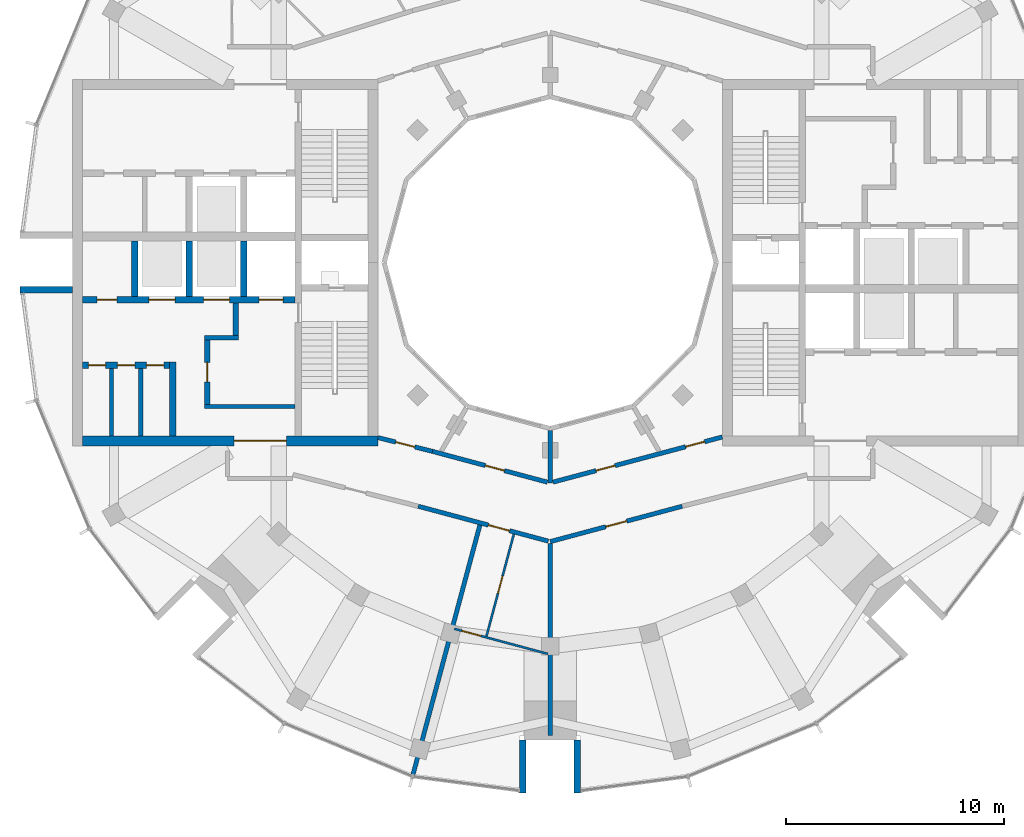
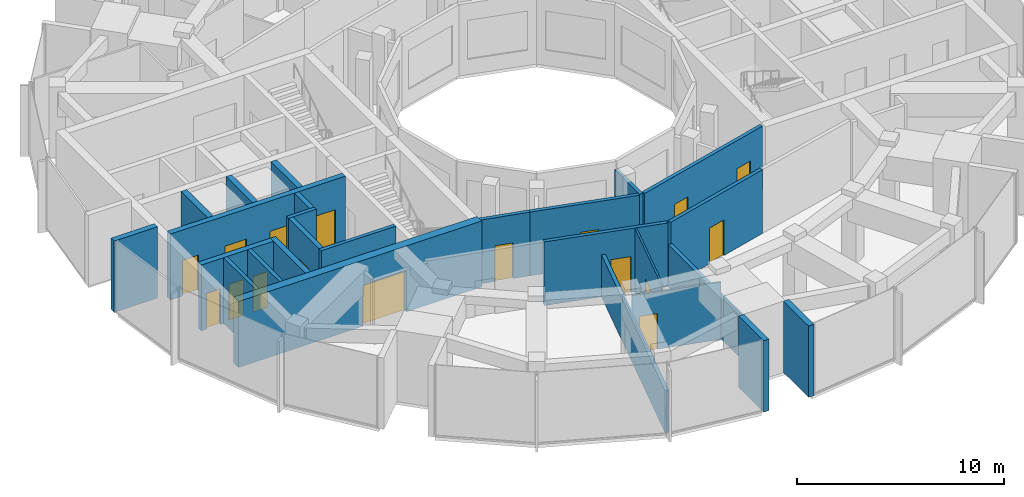
# One storey, part 8 of 14: 26 walls, 17 doors, 17 openings.
"""IFC4 building model written with IfcOpenShell, lengths in metres."""

from ifc_helpers import new_model, si_unit, direction, frame, frame_2d, origin, place, context, subcontext, project, spatial, rectangle, extrude, material, layer, layer_set, type_object, element, fill, save


model = new_model("IFC4")

# Units and contexts
model_context = context("Model", 3, precision=1e-05, world=origin(), true_north=direction((0.0, 1.0)))
body_context = subcontext(model_context, "Body", "Model", "MODEL_VIEW")
ifc_project = project(units=[si_unit("LENGTHUNIT", "METRE"), si_unit("AREAUNIT", "SQUARE_METRE"), si_unit("VOLUMEUNIT", "CUBIC_METRE"), si_unit("PLANEANGLEUNIT", "RADIAN"), si_unit("MASSUNIT", "GRAM", prefix="KILO")], contexts=[model_context])

# Site, building, storey
site_placement = place(None, origin())
site = spatial("IfcSite", under=ifc_project, at=site_placement, CompositionType="ELEMENT")
building_placement = place(site_placement, origin())
building = spatial("IfcBuilding", under=site, at=building_placement, Name="Torre Brocal", CompositionType="ELEMENT")
storey_placement = place(building_placement, frame((0.0, 0.0, 288.300048828125)))
storey = spatial("IfcBuildingStorey", under=building, at=storey_placement, Name="L66", CompositionType="ELEMENT", Elevation=288.300048828125)

# Walls
ifc_material_1 = material(Name="Masonry block", Category="masonry")
ifc_layer_1 = layer(ifc_material_1, 0.199951171875)
ifc_layer_set_1 = layer_set([ifc_layer_1], Name="Masonry block")
wall_type_1 = type_object("IfcWallType", Name="CORE PARTITION 200", PredefinedType="PARTITIONING", material=ifc_layer_set_1)
for number, where, z_axis, x_axis, name in (
    (1, (61.216796875, 70.14990234375, 0.0), (0.0, 0.0, 1.0), (0.0, -1.0, 0.0), "Wall CP200"),
    (2, (59.88330078125, 70.14990234375, 0.0), (0.0, 0.0, 1.0), (0.0, -1.0, 0.0), "Wall CP200"),
):
    element("IfcWall", number, at=place(storey_placement, frame(where, z_axis=z_axis, x_axis=x_axis)), inside=storey, type_object=wall_type_1, Name=name, PredefinedType="PARTITIONING", context=body_context, shape_type="SweptSolid", body=[
        extrude(rectangle(XDim=3.099853515625, YDim=0.199951171875, at=frame_2d((1.5498046875, 0.0))), origin(), (0.0, 0.0, 1.0), 3.8798828125),
    ])
ifc_material_2 = material(Name="Concrete C50", Category="concrete")
ifc_layer_2 = layer(ifc_material_2, 0.199951171875)
ifc_layer_set_2 = layer_set([ifc_layer_2], Name="Concrete C50")
wall_type_2 = type_object("IfcWallType", Name="CORE WALL 200 C50", PredefinedType="SHEAR", material=ifc_layer_set_2)
wall_1_placement = place(storey_placement, frame((68.300048828125, 68.39990234375, 0.0), z_axis=(0.0, 0.0, 1.0), x_axis=(-1.0, 0.0, 0.0)))
element("IfcWall", 3, at=wall_1_placement, inside=storey, type_object=wall_type_2, Name="Wall CW200-50", PredefinedType="SHEAR", context=body_context, shape_type="SweptSolid", body=[
    extrude(rectangle(XDim=4.150146484375, YDim=0.199951171875, at=frame_2d((2.0751953125, 0.0))), origin(), (0.0, 0.0, 1.0), 3.8798828125),
])
wall_2_placement = place(storey_placement, frame((65.699951171875, 71.550048828125, 0.0), z_axis=(0.0, 0.0, 1.0), x_axis=(-1.0, 0.0, 0.0)))
element("IfcWall", 4, at=wall_2_placement, inside=storey, type_object=wall_type_2, Name="Wall CW200-50", PredefinedType="SHEAR", context=body_context, shape_type="SweptSolid", body=[
    extrude(rectangle(XDim=1.550048828125, YDim=0.199951171875, at=frame_2d((0.77490234375, 0.0))), origin(), (0.0, 0.0, 1.0), 3.8798828125),
])

# Wall, opening, door
ifc_material_3 = material(Name="Concrete C50", Category="concrete")
ifc_layer_3 = layer(ifc_material_3, 0.25)
ifc_layer_set_3 = layer_set([ifc_layer_3], Name="Concrete C50")
wall_type_3 = type_object("IfcWallType", Name="CORE WALL 250 C50", PredefinedType="SHEAR", material=ifc_layer_set_3)
wall_3_placement = place(storey_placement, frame((64.27490234375, 71.449951171875, 0.0), z_axis=(0.0, 0.0, 1.0), x_axis=(0.0, -1.0, 0.0)))
wall_3 = element("IfcWall", 5, at=wall_3_placement, inside=storey, type_object=wall_type_3, Name="Wall CW250-50", PredefinedType="SHEAR", context=body_context, shape_type="SweptSolid", body=[
    extrude(rectangle(XDim=2.949951171875, YDim=0.25, at=frame_2d((1.47509765625, 0.0))), origin(), (0.0, 0.0, 1.0), 3.8798828125),
])
opening_1_placement = place(wall_3_placement, frame((1.02490234375, 0.0, 0.0)))
opening_1 = element("IfcOpeningElement", 6, at=opening_1_placement, cuts=wall_3, Name="Opening W-D26", PredefinedType="OPENING", context=body_context, shape_type="SweptSolid", body=[
    extrude(rectangle(XDim=0.89990234375, YDim=2.10009765625, at=frame_2d((0.449951171875, 1.050048828125))), frame((0.0, 0.135009765625, 0.0), z_axis=(0.0, -1.0, 0.0), x_axis=(1.0, 0.0, 0.0)), (0.0, 0.0, 1.0), 0.27001953125),
])
ifc_material_4 = material(Name="Steel A653", Category="steel")
door_type_1 = type_object("IfcDoorType", Name="LOBBY DOOR FD120 900X2100", OperationType="SINGLE_SWING_RIGHT", PredefinedType="DOOR", material=ifc_material_4)
door_1_placement = place(opening_1_placement, origin())
door_1 = element("IfcDoor", 7, at=door_1_placement, inside=storey, type_object=door_type_1, Name="Door W-D26", OperationType="SINGLE_SWING_LEFT", OverallHeight=2.10009765625, OverallWidth=0.89990234375, PredefinedType="DOOR", context=body_context, shape_type="SweptSolid", body=[
    extrude(rectangle(XDim=0.89990234375, YDim=2.10009765625, at=frame_2d((0.449951171875, 1.050048828125))), frame((0.0, 0.02490234375, 0.0), z_axis=(0.0, -1.0, 0.0), x_axis=(1.0, 0.0, 0.0)), (0.0, 0.0, 1.0), 0.050048828125),
])
fill(opening_1, door_1)

# Wall
wall_4_placement = place(storey_placement, frame((65.574951171875, 73.14990234375, 0.0), z_axis=(0.0, 0.0, 1.0), x_axis=(0.0, -1.0, 0.0)))
element("IfcWall", 8, at=wall_4_placement, inside=storey, type_object=wall_type_3, Name="Wall CW250-50", PredefinedType="SHEAR", context=body_context, shape_type="SweptSolid", body=[
    extrude(rectangle(XDim=1.5, YDim=0.25, at=frame_2d((0.75, 0.0))), origin(), (0.0, 0.0, 1.0), 3.8798828125),
])

# Wall, openings, doors
ifc_material_5 = material(Name="Concrete C50", Category="concrete")
ifc_layer_4 = layer(ifc_material_5, 0.300048828125)
ifc_layer_set_4 = layer_set([ifc_layer_4], Name="Concrete C50")
wall_type_4 = type_object("IfcWallType", Name="CORE WALL 300 C50", PredefinedType="SHEAR", material=ifc_layer_set_4)
wall_5_placement = place(storey_placement, frame((68.300048828125, 73.300048828125, 0.0), z_axis=(0.0, 0.0, 1.0), x_axis=(-1.0, 0.0, 0.0)))
wall_5 = element("IfcWall", 9, at=wall_5_placement, inside=storey, type_object=wall_type_4, Name="Wall CW300-50", PredefinedType="SHEAR", context=body_context, shape_type="SweptSolid", body=[
    extrude(rectangle(XDim=9.75, YDim=0.300048828125, at=frame_2d((4.875, 0.0))), origin(), (0.0, 0.0, 1.0), 3.8798828125),
])
opening_2_placement = place(wall_5_placement, frame((0.550048828125, 0.0, 0.0)))
opening_2 = element("IfcOpeningElement", 10, at=opening_2_placement, cuts=wall_5, Name="Opening LD", PredefinedType="OPENING", context=body_context, shape_type="SweptSolid", body=[
    extrude(rectangle(XDim=1.10009765625, YDim=2.10009765625, at=frame_2d((0.550048828125, 1.050048828125))), frame((0.0, 0.159912109375, 0.0), z_axis=(0.0, -1.0, 0.0), x_axis=(1.0, 0.0, 0.0)), (0.0, 0.0, 1.0), 0.320068359375),
])
opening_3_placement = place(wall_5_placement, frame((3.0, 0.0, 0.0)))
opening_3 = element("IfcOpeningElement", 11, at=opening_3_placement, cuts=wall_5, Name="Opening LD12", PredefinedType="OPENING", context=body_context, shape_type="SweptSolid", body=[
    extrude(rectangle(XDim=1.199951171875, YDim=2.10009765625, at=frame_2d((0.60009765625, 1.050048828125))), frame((0.0, 0.159912109375, 0.0), z_axis=(0.0, -1.0, 0.0), x_axis=(1.0, 0.0, 0.0)), (0.0, 0.0, 1.0), 0.320068359375),
])
opening_4_placement = place(wall_5_placement, frame((5.5, 0.0, 0.0)))
opening_4 = element("IfcOpeningElement", 12, at=opening_4_placement, cuts=wall_5, Name="Opening LD12", PredefinedType="OPENING", context=body_context, shape_type="SweptSolid", body=[
    extrude(rectangle(XDim=1.199951171875, YDim=2.10009765625, at=frame_2d((0.60009765625, 1.050048828125))), frame((0.0, 0.159912109375, 0.0), z_axis=(0.0, -1.0, 0.0), x_axis=(1.0, 0.0, 0.0)), (0.0, 0.0, 1.0), 0.320068359375),
])
opening_5_placement = place(wall_5_placement, frame((8.175048828125, 0.0, 0.0)))
opening_5 = element("IfcOpeningElement", 13, at=opening_5_placement, cuts=wall_5, Name="Opening W-D04", PredefinedType="OPENING", context=body_context, shape_type="SweptSolid", body=[
    extrude(rectangle(XDim=0.89990234375, YDim=2.10009765625, at=frame_2d((0.449951171875, 1.050048828125))), frame((0.0, 0.159912109375, 0.0), z_axis=(0.0, -1.0, 0.0), x_axis=(1.0, 0.0, 0.0)), (0.0, 0.0, 1.0), 0.320068359375),
])
ifc_material_6 = material(Name="Stainless steel AISI 316", Category="steel")
door_type_2 = type_object("IfcDoorType", Name="LIFT LANDING DOOR 1100X2100", OperationType="DOUBLE_DOOR_SLIDING", PredefinedType="DOOR", material=ifc_material_6)
door_2_placement = place(opening_2_placement, origin())
door_2 = element("IfcDoor", 14, at=door_2_placement, inside=storey, type_object=door_type_2, Name="Door LD", OperationType="DOUBLE_DOOR_SLIDING", OverallHeight=2.10009765625, OverallWidth=1.10009765625, PredefinedType="DOOR", context=body_context, shape_type="SweptSolid", body=[
    extrude(rectangle(XDim=1.10009765625, YDim=2.10009765625, at=frame_2d((0.550048828125, 1.050048828125))), frame((0.0, 0.02490234375, 0.0), z_axis=(0.0, -1.0, 0.0), x_axis=(1.0, 0.0, 0.0)), (0.0, 0.0, 1.0), 0.050048828125),
])
fill(opening_2, door_2)
ifc_material_7 = material(Name="Stainless steel AISI 316", Category="steel")
door_type_3 = type_object("IfcDoorType", Name="LIFT LANDING DOOR 1200X2100", OperationType="DOUBLE_DOOR_SLIDING", PredefinedType="DOOR", material=ifc_material_7)
door_3_placement = place(opening_3_placement, origin())
door_3 = element("IfcDoor", 15, at=door_3_placement, inside=storey, type_object=door_type_3, Name="Door LD12", OperationType="DOUBLE_DOOR_SLIDING", OverallHeight=2.10009765625, OverallWidth=1.199951171875, PredefinedType="DOOR", context=body_context, shape_type="SweptSolid", body=[
    extrude(rectangle(XDim=1.199951171875, YDim=2.10009765625, at=frame_2d((0.60009765625, 1.050048828125))), frame((0.0, 0.02490234375, 0.0), z_axis=(0.0, -1.0, 0.0), x_axis=(1.0, 0.0, 0.0)), (0.0, 0.0, 1.0), 0.050048828125),
])
fill(opening_3, door_3)
door_4_placement = place(opening_4_placement, origin())
door_4 = element("IfcDoor", 16, at=door_4_placement, inside=storey, type_object=door_type_3, Name="Door LD12", OperationType="DOUBLE_DOOR_SLIDING", OverallHeight=2.10009765625, OverallWidth=1.199951171875, PredefinedType="DOOR", context=body_context, shape_type="SweptSolid", body=[
    extrude(rectangle(XDim=1.199951171875, YDim=2.10009765625, at=frame_2d((0.60009765625, 1.050048828125))), frame((0.0, 0.02490234375, 0.0), z_axis=(0.0, -1.0, 0.0), x_axis=(1.0, 0.0, 0.0)), (0.0, 0.0, 1.0), 0.050048828125),
])
fill(opening_4, door_4)
ifc_material_8 = material(Name="Steel A653", Category="steel")
door_type_4 = type_object("IfcDoorType", Name="ROOM DOOR FD30S 900X2100", OperationType="SINGLE_SWING_LEFT", PredefinedType="DOOR", material=ifc_material_8)
door_5_placement = place(opening_5_placement, frame((0.89990234375, 0.0, 0.0), z_axis=(0.0, 0.0, 1.0), x_axis=(-1.0, 0.0, 0.0)))
door_5 = element("IfcDoor", 17, at=door_5_placement, inside=storey, type_object=door_type_4, Name="Door W-D04", OperationType="SINGLE_SWING_LEFT", OverallHeight=2.10009765625, OverallWidth=0.89990234375, PredefinedType="DOOR", context=body_context, shape_type="SweptSolid", body=[
    extrude(rectangle(XDim=0.89990234375, YDim=2.10009765625, at=frame_2d((0.449951171875, 1.050048828125))), frame((0.0, 0.02490234375, 0.0), z_axis=(0.0, -1.0, 0.0), x_axis=(1.0, 0.0, 0.0)), (0.0, 0.0, 1.0), 0.050048828125),
])
fill(opening_5, door_5)

# Walls
for number, where, z_axis, x_axis, name in (
    (18, (65.949951171875, 76.0, 0.0), (0.0, 0.0, 1.0), (0.0, -1.0, 0.0), "Wall CW300-50"),
    (19, (63.449951171875, 76.0, 0.0), (0.0, 0.0, 1.0), (0.0, -1.0, 0.0), "Wall CW300-50"),
    (20, (60.949951171875, 76.0, 0.0), (0.0, 0.0, 1.0), (0.0, -1.0, 0.0), "Wall CW300-50"),
):
    element("IfcWall", number, at=place(storey_placement, frame(where, z_axis=z_axis, x_axis=x_axis)), inside=storey, type_object=wall_type_4, Name=name, PredefinedType="SHEAR", context=body_context, shape_type="SweptSolid", body=[
        extrude(rectangle(XDim=2.550048828125, YDim=0.300048828125, at=frame_2d((1.27490234375, 0.0))), origin(), (0.0, 0.0, 1.0), 3.8798828125),
    ])
wall_6_placement = place(storey_placement, frame((62.699951171875, 70.449951171875, 0.0), z_axis=(0.0, 0.0, 1.0), x_axis=(0.0, -1.0, 0.0)))
element("IfcWall", 21, at=wall_6_placement, inside=storey, type_object=wall_type_4, Name="Wall CW300-50", PredefinedType="SHEAR", context=body_context, shape_type="SweptSolid", body=[
    extrude(rectangle(XDim=3.39990234375, YDim=0.300048828125, at=frame_2d((1.699951171875, 0.0))), origin(), (0.0, 0.0, 1.0), 3.8798828125),
])

# Wall, openings, doors
wall_7_placement = place(storey_placement, frame((62.550048828125, 70.300048828125, 0.0), z_axis=(0.0, 0.0, 1.0), x_axis=(-1.0, 0.0, 0.0)))
wall_7 = element("IfcWall", 22, at=wall_7_placement, inside=storey, type_object=wall_type_4, Name="Wall CW300-50", PredefinedType="SHEAR", context=body_context, shape_type="SweptSolid", body=[
    extrude(rectangle(XDim=4.0, YDim=0.300048828125, at=frame_2d((2.0, 0.0))), origin(), (0.0, 0.0, 1.0), 3.8798828125),
])
opening_6_placement = place(wall_7_placement, frame((0.2666015625, 0.0, 0.0)))
opening_6 = element("IfcOpeningElement", 23, at=opening_6_placement, cuts=wall_7, Name="Opening W-D29", PredefinedType="OPENING", context=body_context, shape_type="SweptSolid", body=[
    extrude(rectangle(XDim=0.800048828125, YDim=2.10009765625, at=frame_2d((0.39990234375, 1.050048828125))), frame((0.0, 0.159912109375, 0.0), z_axis=(0.0, -1.0, 0.0), x_axis=(1.0, 0.0, 0.0)), (0.0, 0.0, 1.0), 0.320068359375),
])
opening_7_placement = place(wall_7_placement, frame((1.60009765625, 0.0, 0.0)))
opening_7 = element("IfcOpeningElement", 24, at=opening_7_placement, cuts=wall_7, Name="Opening W-D31", PredefinedType="OPENING", context=body_context, shape_type="SweptSolid", body=[
    extrude(rectangle(XDim=0.800048828125, YDim=2.10009765625, at=frame_2d((0.39990234375, 1.050048828125))), frame((0.0, 0.159912109375, 0.0), z_axis=(0.0, -1.0, 0.0), x_axis=(1.0, 0.0, 0.0)), (0.0, 0.0, 1.0), 0.320068359375),
])
opening_8_placement = place(wall_7_placement, frame((2.933349609375, 0.0, 0.0)))
opening_8 = element("IfcOpeningElement", 25, at=opening_8_placement, cuts=wall_7, Name="Opening W-D33", PredefinedType="OPENING", context=body_context, shape_type="SweptSolid", body=[
    extrude(rectangle(XDim=0.800048828125, YDim=2.10009765625, at=frame_2d((0.39990234375, 1.050048828125))), frame((0.0, 0.159912109375, 0.0), z_axis=(0.0, -1.0, 0.0), x_axis=(1.0, 0.0, 0.0)), (0.0, 0.0, 1.0), 0.320068359375),
])
ifc_material_9 = material(Name="Steel A653", Category="steel")
door_type_5 = type_object("IfcDoorType", Name="ROOM DOOR FD30S 800X2100", OperationType="SINGLE_SWING_LEFT", PredefinedType="DOOR", material=ifc_material_9)
door_6_placement = place(opening_6_placement, origin())
door_6 = element("IfcDoor", 26, at=door_6_placement, inside=storey, type_object=door_type_5, Name="Door W-D29", OperationType="SINGLE_SWING_RIGHT", OverallHeight=2.10009765625, OverallWidth=0.800048828125, PredefinedType="DOOR", context=body_context, shape_type="SweptSolid", body=[
    extrude(rectangle(XDim=0.800048828125, YDim=2.10009765625, at=frame_2d((0.39990234375, 1.050048828125))), frame((0.0, 0.02490234375, 0.0), z_axis=(0.0, -1.0, 0.0), x_axis=(1.0, 0.0, 0.0)), (0.0, 0.0, 1.0), 0.050048828125),
])
fill(opening_6, door_6)
door_7_placement = place(opening_7_placement, origin())
door_7 = element("IfcDoor", 27, at=door_7_placement, inside=storey, type_object=door_type_5, Name="Door W-D31", OperationType="SINGLE_SWING_RIGHT", OverallHeight=2.10009765625, OverallWidth=0.800048828125, PredefinedType="DOOR", context=body_context, shape_type="SweptSolid", body=[
    extrude(rectangle(XDim=0.800048828125, YDim=2.10009765625, at=frame_2d((0.39990234375, 1.050048828125))), frame((0.0, 0.02490234375, 0.0), z_axis=(0.0, -1.0, 0.0), x_axis=(1.0, 0.0, 0.0)), (0.0, 0.0, 1.0), 0.050048828125),
])
fill(opening_7, door_7)
door_8_placement = place(opening_8_placement, origin())
door_8 = element("IfcDoor", 28, at=door_8_placement, inside=storey, type_object=door_type_5, Name="Door W-D33", OperationType="SINGLE_SWING_LEFT", OverallHeight=2.10009765625, OverallWidth=0.800048828125, PredefinedType="DOOR", context=body_context, shape_type="SweptSolid", body=[
    extrude(rectangle(XDim=0.800048828125, YDim=2.10009765625, at=frame_2d((0.39990234375, 1.050048828125))), frame((0.0, 0.02490234375, 0.0), z_axis=(0.0, -1.0, 0.0), x_axis=(1.0, 0.0, 0.0)), (0.0, 0.0, 1.0), 0.050048828125),
])
fill(opening_8, door_8)

# Wall, opening, door
ifc_material_10 = material(Name="Concrete C50", Category="concrete")
ifc_layer_5 = layer(ifc_material_10, 0.449951171875)
ifc_layer_set_5 = layer_set([ifc_layer_5], Name="Concrete C50")
wall_type_5 = type_object("IfcWallType", Name="CORE WALL 450 C50", PredefinedType="SHEAR", material=ifc_layer_set_5)
wall_8_placement = place(storey_placement, frame((72.10009765625, 66.824951171875, 0.0), z_axis=(0.0, 0.0, 1.0), x_axis=(-1.0, 0.0, 0.0)))
wall_8 = element("IfcWall", 29, at=wall_8_placement, inside=storey, type_object=wall_type_5, Name="Wall CW450-50", PredefinedType="SHEAR", context=body_context, shape_type="SweptSolid", body=[
    extrude(rectangle(XDim=13.550048828125, YDim=0.449951171875, at=frame_2d((6.77490234375, 0.0))), origin(), (0.0, 0.0, 1.0), 3.8798828125),
])
opening_9_placement = place(wall_8_placement, frame((4.199951171875, 0.0, 0.0)))
opening_9 = element("IfcOpeningElement", 30, at=opening_9_placement, cuts=wall_8, Name="Opening W-D34", PredefinedType="OPENING", context=body_context, shape_type="SweptSolid", body=[
    extrude(rectangle(XDim=2.39990234375, YDim=2.39990234375, at=frame_2d((1.199951171875, 1.199951171875))), frame((0.0, 0.23486328125, 0.0), z_axis=(0.0, -1.0, 0.0), x_axis=(1.0, 0.0, 0.0)), (0.0, 0.0, 1.0), 0.469970703125),
])
ifc_material_11 = material(Name="Steel A653", Category="steel")
door_type_6 = type_object("IfcDoorType", Name="DOUBLE FIRE DOOR FD90 2400X2400", OperationType="DOUBLE_DOOR_SINGLE_SWING", PredefinedType="DOOR", material=ifc_material_11)
door_9_placement = place(opening_9_placement, frame((2.39990234375, 0.0, 0.0), z_axis=(0.0, 0.0, 1.0), x_axis=(-1.0, 0.0, 0.0)))
door_9 = element("IfcDoor", 31, at=door_9_placement, inside=storey, type_object=door_type_6, Name="Door W-D34", OperationType="DOUBLE_DOOR_SINGLE_SWING", OverallHeight=2.39990234375, OverallWidth=2.39990234375, PredefinedType="DOOR", context=body_context, shape_type="SweptSolid", body=[
    extrude(rectangle(XDim=2.39990234375, YDim=2.39990234375, at=frame_2d((1.199951171875, 1.199951171875))), frame((0.0, 0.02490234375, 0.0), z_axis=(0.0, -1.0, 0.0), x_axis=(1.0, 0.0, 0.0)), (0.0, 0.0, 1.0), 0.050048828125),
])
fill(opening_9, door_9)

# Walls
ifc_material_12 = material(Name="Concrete C50", Category="concrete")
ifc_layer_6 = layer(ifc_material_12, 0.300048828125)
ifc_layer_set_6 = layer_set([ifc_layer_6], Name="Concrete C50")
wall_type_6 = type_object("IfcWallType", Name="NOTCH RETURN WALL 300 C50", PredefinedType="NOTDEFINED", material=ifc_layer_set_6)
for number, where, z_axis, x_axis, name in (
    (32, (58.10009765625, 73.75, 0.0), (0.0, 0.0, 1.0), (-1.0, 0.0, 0.0), "NOTCH RETURN WALL"),
    (33, (78.75, 53.10009765625, 0.0), (0.0, 0.0, 1.0), (0.0, -1.0, 0.0), "NOTCH RETURN WALL"),
    (34, (81.25, 53.10009765625, 0.0), (0.0, 0.0, 1.0), (0.0, -1.0, 0.0), "NOTCH RETURN WALL"),
):
    element("IfcWall", number, at=place(storey_placement, frame(where, z_axis=z_axis, x_axis=x_axis)), inside=storey, type_object=wall_type_6, Name=name, PredefinedType="NOTDEFINED", context=body_context, shape_type="SweptSolid", body=[
        extrude(rectangle(XDim=2.415771484375, YDim=0.300048828125, at=frame_2d((1.2080078125, 0.0))), origin(), (0.0, 0.0, 1.0), 4.199951171875),
    ])

# Wall, opening, door
ifc_material_13 = material(Name="Gypsum board", Category="Gypsum")
ifc_layer_7 = layer(ifc_material_13, 0.10009765625)
ifc_layer_set_7 = layer_set([ifc_layer_7], Name="Gypsum board")
wall_type_7 = type_object("IfcWallType", Name="PARTITION 100", PredefinedType="PARTITIONING", material=ifc_layer_set_7)
wall_9_placement = place(storey_placement, frame((77.076904296875, 57.8623046875, 0.0), z_axis=(0.0, 0.0, 1.0), x_axis=(0.258774664065, 0.96593771706, 0.0)))
wall_9 = element("IfcWall", 35, at=wall_9_placement, inside=storey, type_object=wall_type_7, Name="BATHROOM WALL", PredefinedType="PARTITIONING", context=body_context, shape_type="SweptSolid", body=[
    extrude(rectangle(XDim=4.850341796875, YDim=0.10009765625, at=frame_2d((2.42529296875, 0.0))), origin(), (0.0, 0.0, 1.0), 3.75),
])
opening_10_placement = place(wall_9_placement, frame((2.050048828125, 0.0, 0.0)))
opening_10 = element("IfcOpeningElement", 36, at=opening_10_placement, cuts=wall_9, Name="Opening N02-D17", PredefinedType="OPENING", context=body_context, shape_type="SweptSolid", body=[
    extrude(rectangle(XDim=0.800048828125, YDim=2.10009765625, at=frame_2d((0.39990234375, 1.050048828125))), frame((0.0, 0.06005859375, 0.0), z_axis=(0.0, -1.0, 0.0), x_axis=(1.0, 0.0, 0.0)), (0.0, 0.0, 1.0), 0.1201171875),
])
ifc_material_14 = material(Name="Timber", Category="wood")
door_type_7 = type_object("IfcDoorType", Name="BATHROOM DOOR 800X2100", OperationType="SINGLE_SWING_LEFT", PredefinedType="DOOR", material=ifc_material_14)
door_10_placement = place(opening_10_placement, frame((0.800048828125, 0.0, 0.0), z_axis=(0.0, 0.0, 1.0), x_axis=(-1.0, 0.0, 0.0)))
door_10 = element("IfcDoor", 37, at=door_10_placement, inside=storey, type_object=door_type_7, Name="N02-D17", OperationType="SINGLE_SWING_LEFT", OverallHeight=2.10009765625, OverallWidth=0.800048828125, PredefinedType="DOOR", context=body_context, shape_type="SweptSolid", body=[
    extrude(rectangle(XDim=0.800048828125, YDim=2.10009765625, at=frame_2d((0.39990234375, 1.050048828125))), frame((0.0, 0.02490234375, 0.0), z_axis=(0.0, -1.0, 0.0), x_axis=(1.0, 0.0, 0.0)), (0.0, 0.0, 1.0), 0.050048828125),
])
fill(opening_10, door_10)

ifc_material_15 = material(Name="Gypsum board", Category="Gypsum")
ifc_layer_8 = layer(ifc_material_15, 0.10009765625)
ifc_layer_set_8 = layer_set([ifc_layer_8], Name="Gypsum board")
wall_type_8 = type_object("IfcWallType", Name="PARTITION 100 UNDER BEAM 820", PredefinedType="PARTITIONING", material=ifc_layer_set_8)
wall_10_placement = place(storey_placement, frame((75.603515625, 58.205078125, 0.0), z_axis=(0.0, 0.0, 1.0), x_axis=(0.96596252401, -0.258682048483, 0.0)))
wall_10 = element("IfcWall", 38, at=wall_10_placement, inside=storey, type_object=wall_type_8, Name="BATHROOM WALL", PredefinedType="PARTITIONING", context=body_context, shape_type="SweptSolid", body=[
    extrude(rectangle(XDim=4.44140625, YDim=0.10009765625, at=frame_2d((2.220703125, 0.0))), origin(), (0.0, 0.0, 1.0), 3.3798828125),
])
opening_11_placement = place(wall_10_placement, frame((0.36181640625, 0.0, 0.0)))
opening_11 = element("IfcOpeningElement", 39, at=opening_11_placement, cuts=wall_10, Name="Opening N02-D15", PredefinedType="OPENING", context=body_context, shape_type="SweptSolid", body=[
    extrude(rectangle(XDim=0.89990234375, YDim=2.10009765625, at=frame_2d((0.449951171875, 1.050048828125))), frame((0.0, 0.06005859375, 0.0), z_axis=(0.0, -1.0, 0.0), x_axis=(1.0, 0.0, 0.0)), (0.0, 0.0, 1.0), 0.1201171875),
])
ifc_material_16 = material(Name="Timber", Category="wood")
door_type_8 = type_object("IfcDoorType", Name="ROOM DOOR 900X2100", OperationType="SINGLE_SWING_LEFT", PredefinedType="DOOR", material=ifc_material_16)
door_11_placement = place(opening_11_placement, origin())
door_11 = element("IfcDoor", 40, at=door_11_placement, inside=storey, type_object=door_type_8, Name="N02-D15", OperationType="SINGLE_SWING_RIGHT", OverallHeight=2.10009765625, OverallWidth=0.89990234375, PredefinedType="DOOR", context=body_context, shape_type="SweptSolid", body=[
    extrude(rectangle(XDim=0.89990234375, YDim=2.10009765625, at=frame_2d((0.449951171875, 1.050048828125))), frame((0.0, 0.02490234375, 0.0), z_axis=(0.0, -1.0, 0.0), x_axis=(1.0, 0.0, 0.0)), (0.0, 0.0, 1.0), 0.050048828125),
])
fill(opening_11, door_11)

ifc_material_17 = material(Name="Gypsum board", Category="Gypsum")
ifc_layer_9 = layer(ifc_material_17, 0.199951171875)
ifc_layer_set_9 = layer_set([ifc_layer_9], Name="Gypsum board")
wall_type_9 = type_object("IfcWallType", Name="PARTITION 200 EI60", PredefinedType="PARTITIONING", material=ifc_layer_set_9)
wall_11_placement = place(storey_placement, frame((72.10009765625, 66.97509765625, 0.0), z_axis=(0.0, 0.0, 1.0), x_axis=(0.969471314457, -0.245204752086, 0.0)))
wall_11 = element("IfcWall", 41, at=wall_11_placement, inside=storey, type_object=wall_type_9, Name="CORRIDOR WALL", PredefinedType="PARTITIONING", context=body_context, shape_type="SweptSolid", body=[
    extrude(rectangle(XDim=2.581787109375, YDim=0.199951171875, at=frame_2d((1.291015625, 0.0))), origin(), (0.0, 0.0, 1.0), 3.75),
])
opening_12_placement = place(wall_11_placement, frame((0.8408203125, 0.0, 0.0)))
opening_12 = element("IfcOpeningElement", 42, at=opening_12_placement, cuts=wall_11, Name="Opening N02-D22", PredefinedType="OPENING", context=body_context, shape_type="SweptSolid", body=[
    extrude(rectangle(XDim=0.89990234375, YDim=2.10009765625, at=frame_2d((0.449951171875, 1.050048828125))), frame((0.0, 0.10986328125, 0.0), z_axis=(0.0, -1.0, 0.0), x_axis=(1.0, 0.0, 0.0)), (0.0, 0.0, 1.0), 0.219970703125),
])
door_12_placement = place(opening_12_placement, origin())
door_12 = element("IfcDoor", 43, at=door_12_placement, inside=storey, type_object=door_type_8, Name="N02-D22", OperationType="SINGLE_SWING_LEFT", OverallHeight=2.10009765625, OverallWidth=0.89990234375, PredefinedType="DOOR", context=body_context, shape_type="SweptSolid", body=[
    extrude(rectangle(XDim=0.89990234375, YDim=2.10009765625, at=frame_2d((0.449951171875, 1.050048828125))), frame((0.0, 0.02490234375, 0.0), z_axis=(0.0, -1.0, 0.0), x_axis=(1.0, 0.0, 0.0)), (0.0, 0.0, 1.0), 0.050048828125),
])
fill(opening_12, door_12)

wall_12_placement = place(storey_placement, frame((73.947021484375, 63.826416015625, 0.0), z_axis=(0.0, 0.0, 1.0), x_axis=(0.965862619462, -0.259054821082, 0.0)))
wall_12 = element("IfcWall", 44, at=wall_12_placement, inside=storey, type_object=wall_type_9, Name="FLAT ENTRANCE WALL", PredefinedType="PARTITIONING", context=body_context, shape_type="SweptSolid", body=[
    extrude(rectangle(XDim=6.1767578125, YDim=0.199951171875, at=frame_2d((3.08837890625, 0.0))), origin(), (0.0, 0.0, 1.0), 3.75),
])
opening_13_placement = place(wall_12_placement, frame((3.336181640625, 0.0, 0.0)))
opening_13 = element("IfcOpeningElement", 45, at=opening_13_placement, cuts=wall_12, Name="Opening N02-D16", PredefinedType="OPENING", context=body_context, shape_type="SweptSolid", body=[
    extrude(rectangle(XDim=1.0, YDim=2.10009765625, at=frame_2d((0.5, 1.050048828125))), frame((0.0, 0.10986328125, 0.0), z_axis=(0.0, -1.0, 0.0), x_axis=(1.0, 0.0, 0.0)), (0.0, 0.0, 1.0), 0.219970703125),
])
ifc_material_18 = material(Name="Timber", Category="wood")
door_type_9 = type_object("IfcDoorType", Name="FLAT ENTRY DOOR FD30S 1000X2100", OperationType="SINGLE_SWING_RIGHT", PredefinedType="DOOR", material=ifc_material_18)
door_13_placement = place(opening_13_placement, frame((1.0, 0.0, 0.0), z_axis=(0.0, 0.0, 1.0), x_axis=(-1.0, 0.0, 0.0)))
door_13 = element("IfcDoor", 46, at=door_13_placement, inside=storey, type_object=door_type_9, Name="N02-D16", OperationType="SINGLE_SWING_LEFT", OverallHeight=2.10009765625, OverallWidth=1.0, PredefinedType="DOOR", context=body_context, shape_type="SweptSolid", body=[
    extrude(rectangle(XDim=1.0, YDim=2.10009765625, at=frame_2d((0.5, 1.050048828125))), frame((0.0, 0.02490234375, 0.0), z_axis=(0.0, -1.0, 0.0), x_axis=(1.0, 0.0, 0.0)), (0.0, 0.0, 1.0), 0.050048828125),
])
fill(opening_13, door_13)

wall_13_placement = place(storey_placement, frame((74.60302734375, 66.342041015625, 0.0), z_axis=(0.0, 0.0, 1.0), x_axis=(0.965920893652, -0.258837453254, 0.0)))
wall_13 = element("IfcWall", 47, at=wall_13_placement, inside=storey, type_object=wall_type_9, Name="CORRIDOR WALL", PredefinedType="PARTITIONING", context=body_context, shape_type="SweptSolid", body=[
    extrude(rectangle(XDim=5.45751953125, YDim=0.199951171875, at=frame_2d((2.728759765625, 0.0))), origin(), (0.0, 0.0, 1.0), 3.75),
])
opening_14_placement = place(wall_13_placement, frame((2.512451171875, 0.0, 0.0)))
opening_14 = element("IfcOpeningElement", 48, at=opening_14_placement, cuts=wall_13, Name="Opening N02-D21", PredefinedType="OPENING", context=body_context, shape_type="SweptSolid", body=[
    extrude(rectangle(XDim=0.89990234375, YDim=2.10009765625, at=frame_2d((0.449951171875, 1.050048828125))), frame((0.0, 0.10986328125, 0.0), z_axis=(0.0, -1.0, 0.0), x_axis=(1.0, 0.0, 0.0)), (0.0, 0.0, 1.0), 0.219970703125),
])
door_14_placement = place(opening_14_placement, origin())
door_14 = element("IfcDoor", 49, at=door_14_placement, inside=storey, type_object=door_type_8, Name="N02-D21", OperationType="SINGLE_SWING_LEFT", OverallHeight=2.10009765625, OverallWidth=0.89990234375, PredefinedType="DOOR", context=body_context, shape_type="SweptSolid", body=[
    extrude(rectangle(XDim=0.89990234375, YDim=2.10009765625, at=frame_2d((0.449951171875, 1.050048828125))), frame((0.0, 0.02490234375, 0.0), z_axis=(0.0, -1.0, 0.0), x_axis=(1.0, 0.0, 0.0)), (0.0, 0.0, 1.0), 0.050048828125),
])
fill(opening_14, door_14)

# Wall, openings, doors
wall_14_placement = place(storey_placement, frame((80.125, 64.931640625, 0.0), z_axis=(0.0, 0.0, 1.0), x_axis=(0.966236955806, 0.257655089674, 0.0)))
wall_14 = element("IfcWall", 50, at=wall_14_placement, inside=storey, type_object=wall_type_9, Name="CORRIDOR WALL", PredefinedType="PARTITIONING", context=body_context, shape_type="SweptSolid", body=[
    extrude(rectangle(XDim=8.0390625, YDim=0.199951171875, at=frame_2d((4.01953125, 0.0))), origin(), (0.0, 0.0, 1.0), 3.75),
])
opening_15_placement = place(wall_14_placement, frame((6.298095703125, 0.0, 0.0)))
opening_15 = element("IfcOpeningElement", 51, at=opening_15_placement, cuts=wall_14, Name="Opening N02-D19", PredefinedType="OPENING", context=body_context, shape_type="SweptSolid", body=[
    extrude(rectangle(XDim=0.89990234375, YDim=2.10009765625, at=frame_2d((0.449951171875, 1.050048828125))), frame((0.0, 0.10986328125, 0.0), z_axis=(0.0, -1.0, 0.0), x_axis=(1.0, 0.0, 0.0)), (0.0, 0.0, 1.0), 0.219970703125),
])
opening_16_placement = place(wall_14_placement, frame((2.044921875, 0.0, 0.0)))
opening_16 = element("IfcOpeningElement", 52, at=opening_16_placement, cuts=wall_14, Name="Opening N02-D20", PredefinedType="OPENING", context=body_context, shape_type="SweptSolid", body=[
    extrude(rectangle(XDim=0.89990234375, YDim=2.10009765625, at=frame_2d((0.449951171875, 1.050048828125))), frame((0.0, 0.10986328125, 0.0), z_axis=(0.0, -1.0, 0.0), x_axis=(1.0, 0.0, 0.0)), (0.0, 0.0, 1.0), 0.219970703125),
])
door_15_placement = place(opening_15_placement, origin())
door_15 = element("IfcDoor", 53, at=door_15_placement, inside=storey, type_object=door_type_8, Name="N02-D19", OperationType="SINGLE_SWING_RIGHT", OverallHeight=2.10009765625, OverallWidth=0.89990234375, PredefinedType="DOOR", context=body_context, shape_type="SweptSolid", body=[
    extrude(rectangle(XDim=0.89990234375, YDim=2.10009765625, at=frame_2d((0.449951171875, 1.050048828125))), frame((0.0, 0.02490234375, 0.0), z_axis=(0.0, -1.0, 0.0), x_axis=(1.0, 0.0, 0.0)), (0.0, 0.0, 1.0), 0.050048828125),
])
fill(opening_15, door_15)
door_16_placement = place(opening_16_placement, origin())
door_16 = element("IfcDoor", 54, at=door_16_placement, inside=storey, type_object=door_type_8, Name="N02-D20", OperationType="SINGLE_SWING_RIGHT", OverallHeight=2.10009765625, OverallWidth=0.89990234375, PredefinedType="DOOR", context=body_context, shape_type="SweptSolid", body=[
    extrude(rectangle(XDim=0.89990234375, YDim=2.10009765625, at=frame_2d((0.449951171875, 1.050048828125))), frame((0.0, 0.02490234375, 0.0), z_axis=(0.0, -1.0, 0.0), x_axis=(1.0, 0.0, 0.0)), (0.0, 0.0, 1.0), 0.050048828125),
])
fill(opening_16, door_16)

# Wall, opening, door
wall_15_placement = place(storey_placement, frame((80.0, 62.203857421875, 0.0), z_axis=(0.0, 0.0, 1.0), x_axis=(0.965918660596, 0.258845786351, 0.0)))
wall_15 = element("IfcWall", 55, at=wall_15_placement, inside=storey, type_object=wall_type_9, Name="FLAT ENTRANCE WALL", PredefinedType="PARTITIONING", context=body_context, shape_type="SweptSolid", body=[
    extrude(rectangle(XDim=6.2666015625, YDim=0.199951171875, at=frame_2d((3.13330078125, 0.0))), origin(), (0.0, 0.0, 1.0), 3.75),
])
opening_17_placement = place(wall_15_placement, frame((2.63330078125, 0.0, 0.0)))
opening_17 = element("IfcOpeningElement", 56, at=opening_17_placement, cuts=wall_15, Name="Opening N02-D14", PredefinedType="OPENING", context=body_context, shape_type="SweptSolid", body=[
    extrude(rectangle(XDim=1.0, YDim=2.10009765625, at=frame_2d((0.5, 1.050048828125))), frame((0.0, 0.10986328125, 0.0), z_axis=(0.0, -1.0, 0.0), x_axis=(1.0, 0.0, 0.0)), (0.0, 0.0, 1.0), 0.219970703125),
])
door_17_placement = place(opening_17_placement, frame((1.0, 0.0, 0.0), z_axis=(0.0, 0.0, 1.0), x_axis=(-1.0, 0.0, 0.0)))
door_17 = element("IfcDoor", 57, at=door_17_placement, inside=storey, type_object=door_type_9, Name="N02-D14", OperationType="SINGLE_SWING_RIGHT", OverallHeight=2.10009765625, OverallWidth=1.0, PredefinedType="DOOR", context=body_context, shape_type="SweptSolid", body=[
    extrude(rectangle(XDim=1.0, YDim=2.10009765625, at=frame_2d((0.5, 1.050048828125))), frame((0.0, 0.02490234375, 0.0), z_axis=(0.0, -1.0, 0.0), x_axis=(1.0, 0.0, 0.0)), (0.0, 0.0, 1.0), 0.050048828125),
])
fill(opening_17, door_17)

# Walls
wall_16_placement = place(storey_placement, frame((80.0, 64.89599609375, 0.0), z_axis=(0.0, 0.0, 1.0), x_axis=(0.0, 1.0, 0.0)))
element("IfcWall", 58, at=wall_16_placement, inside=storey, type_object=wall_type_9, Name="SERVICE ROOM WALL", PredefinedType="PARTITIONING", context=body_context, shape_type="SweptSolid", body=[
    extrude(rectangle(XDim=2.405029296875, YDim=0.199951171875, at=frame_2d((1.20263671875, 0.0))), origin(), (0.0, 0.0, 1.0), 3.75),
])
ifc_material_19 = material(Name="Gypsum board", Category="Gypsum")
ifc_layer_10 = layer(ifc_material_19, 0.199951171875)
ifc_layer_set_10 = layer_set([ifc_layer_10], Name="Gypsum board")
wall_type_10 = type_object("IfcWallType", Name="PARTITION 200 EI60 UNDER BEAM 1720", PredefinedType="PARTITIONING", material=ifc_layer_set_10)
wall_17_placement = place(storey_placement, frame((73.710693359375, 51.52978515625, 0.0), z_axis=(0.0, 0.0, 1.0), x_axis=(0.258903780219, 0.965903117599, 0.0)))
element("IfcWall", 59, at=wall_17_placement, inside=storey, type_object=wall_type_10, Name="PARTY PARTITION", PredefinedType="PARTITIONING", context=body_context, shape_type="SweptSolid", body=[
    extrude(rectangle(XDim=11.837158203125, YDim=0.199951171875, at=frame_2d((5.91845703125, 0.0))), origin(), (0.0, 0.0, 1.0), 2.47998046875),
])
wall_18_placement = place(storey_placement, frame((80.0, 53.301025390625, 0.0), z_axis=(0.0, 0.0, 1.0), x_axis=(0.0, 1.0, 0.0)))
element("IfcWall", 60, at=wall_18_placement, inside=storey, type_object=wall_type_10, Name="BATHROOM WALL", PredefinedType="PARTITIONING", context=body_context, shape_type="SweptSolid", body=[
    extrude(rectangle(XDim=8.81201171875, YDim=0.199951171875, at=frame_2d((4.406005859375, 0.0))), origin(), (0.0, 0.0, 1.0), 2.47998046875),
])

save(model, "model.ifc")
